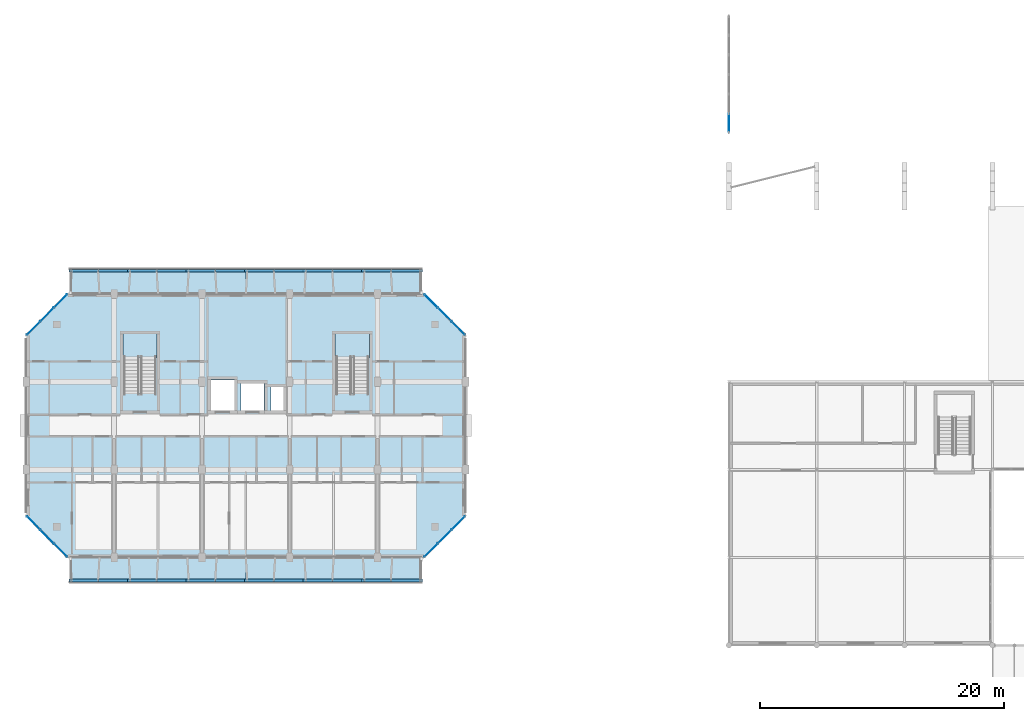
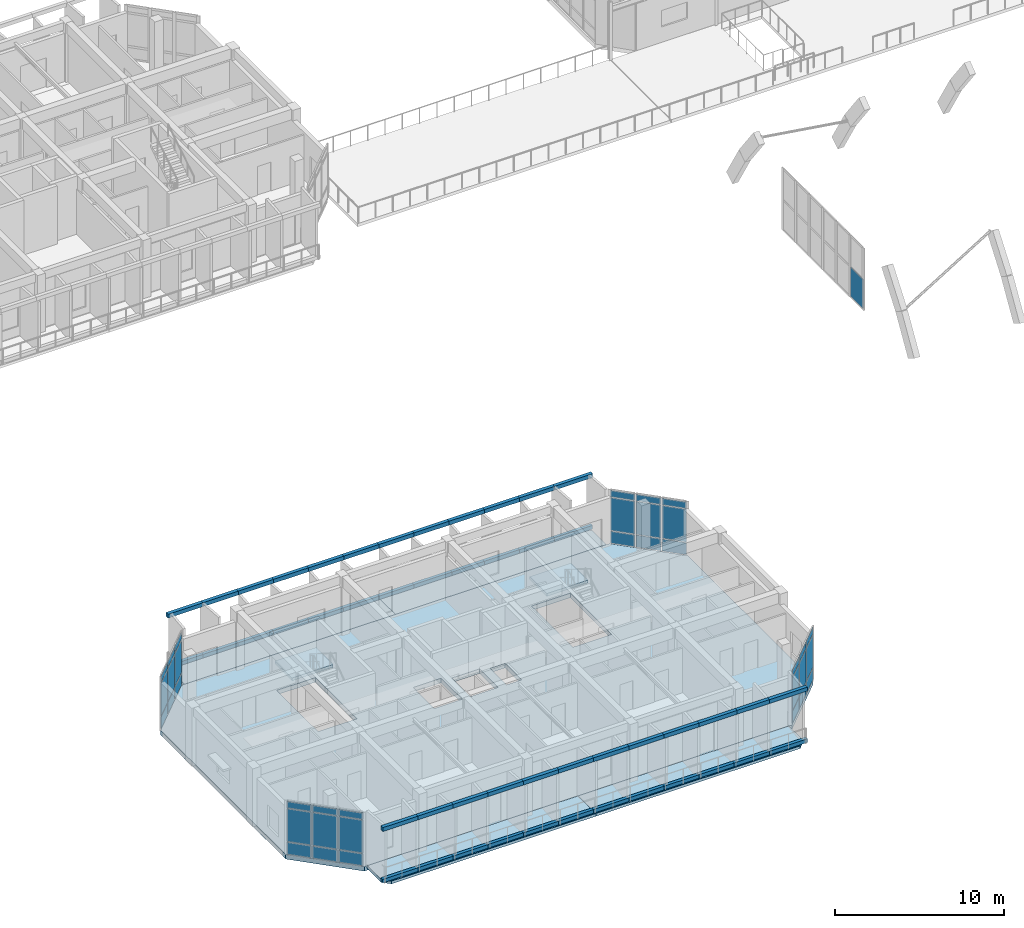
# One storey, part 35 of 85: 85 plates, 7 slabs, 7 elements without a shape of their own.
"""IFC4 building model written with IfcOpenShell, lengths in metres."""

import ifcopenshell
import ifcopenshell.guid

model = None  # the IFC model being written
_history = None  # IfcOwnerHistory: only IFC2X3 demands one
_inside = {}  # id of a spatial element -> (the spatial element, [elements in it])
_under = {}  # id of a project, library or spatial element -> (it, [spatial elements below it])
_declared = {}  # id of a project -> (the project, [libraries it declares])
_typed = {}  # id of a type object -> (the type object, [elements of that type])
_made_of = {}  # id of a material, layer set ... -> (it, [elements and type objects made of it])


def new_model(schema):
    """Start an empty IFC model of exactly this schema.

    Asked for "IFC4X3", IfcOpenShell would pick the latest addendum, in which some entities
    have other attributes; the version numbers below select the first issue.
    IFC2X3 requires an IfcOwnerHistory on every rooted entity: one is made here for all.
    """
    global model, _history
    if schema == "IFC4X3":
        model = ifcopenshell.file(schema_version=(4, 3, 0, 0))
    else:
        model = ifcopenshell.file(schema=schema)
    _inside.clear()
    _under.clear()
    _declared.clear()
    _typed.clear()
    _made_of.clear()
    _history = None
    if model.schema == "IFC2X3":
        org = make("IfcOrganization", Name="unknown")
        user = make(
            "IfcPersonAndOrganization",
            ThePerson=make("IfcPerson", FamilyName="unknown"),
            TheOrganization=org,
        )
        app = make(
            "IfcApplication",
            ApplicationDeveloper=org,
            Version="unknown",
            ApplicationFullName="unknown",
            ApplicationIdentifier="unknown",
        )
        _history = make(
            "IfcOwnerHistory",
            OwningUser=user,
            OwningApplication=app,
            ChangeAction="ADDED",
            CreationDate=0,
        )
    return model


def make(cls, **values):
    """One entity of the class cls with the attributes given. An attribute that is None is left unset."""
    return model.create_entity(
        cls, **{name: value for name, value in values.items() if value is not None}
    )


def rooted(cls, **values):
    """An entity with a GlobalId (a new one), such as an element, a storey or a relation."""
    return make(cls, GlobalId=ifcopenshell.guid.new(), OwnerHistory=_history, **values)


def si_unit(unit_type, name, prefix=None):
    """IfcSIUnit, for example si_unit("LENGTHUNIT", "METRE", prefix="MILLI")."""
    return make("IfcSIUnit", UnitType=unit_type, Prefix=prefix, Name=name)


def assignment(units):
    """IfcUnitAssignment: the units of a project."""
    return None if units is None else make("IfcUnitAssignment", Units=units)


def point(xyz):
    """IfcCartesianPoint."""
    return None if xyz is None else make("IfcCartesianPoint", Coordinates=xyz)


def direction(xyz):
    """IfcDirection."""
    return None if xyz is None else make("IfcDirection", DirectionRatios=xyz)


def frame(location, z_axis=None, x_axis=None):
    """IfcAxis2Placement3D, a coordinate frame: its origin and axes. An axis left out is left unset."""
    return make(
        "IfcAxis2Placement3D",
        Location=point(location),
        Axis=direction(z_axis),
        RefDirection=direction(x_axis),
    )


def frame_2d(location, x_axis=None):
    """IfcAxis2Placement2D, a coordinate frame in the plane: its origin and x axis."""
    return make(
        "IfcAxis2Placement2D", Location=point(location), RefDirection=direction(x_axis)
    )


def origin():
    """The frame at (0, 0, 0) with its axes left unset."""
    return frame((0.0, 0.0, 0.0))


def origin_2d():
    """The frame at (0, 0) in the plane with its x axis left unset."""
    return frame_2d((0.0, 0.0))


def place(relative_to, where):
    """IfcLocalPlacement: puts the frame where relative to a parent placement (None: the world)."""
    return make(
        "IfcLocalPlacement", PlacementRelTo=relative_to, RelativePlacement=where
    )


def context(
    kind, dimensions, precision=None, world=None, true_north=None, identifier=None
):
    """IfcGeometricRepresentationContext, for example the 3D "Model" context."""
    return make(
        "IfcGeometricRepresentationContext",
        ContextIdentifier=identifier,
        ContextType=kind,
        CoordinateSpaceDimension=dimensions,
        Precision=precision,
        WorldCoordinateSystem=world,
        TrueNorth=true_north,
    )


def subcontext(parent, identifier, kind, view, scale=None):
    """IfcGeometricRepresentationSubContext, for example "Body" below "Model"."""
    return make(
        "IfcGeometricRepresentationSubContext",
        ContextIdentifier=identifier,
        ContextType=kind,
        ParentContext=parent,
        TargetScale=scale,
        TargetView=view,
    )


def project(units=None, contexts=None):
    """IfcProject with its units and contexts."""
    return rooted(
        "IfcProject",
        Name="project",
        RepresentationContexts=contexts,
        UnitsInContext=assignment(units),
    )


def spatial(cls, under=None, at=None, **own):
    """A site, building, storey or space (cls), placed at a placement, below another one or the project."""
    s = rooted(cls, ObjectPlacement=at, **own)
    if under is not None:
        _under.setdefault(under.id(), (under, []))[1].append(s)
    return s


def polyline(points):
    """IfcPolyline through the points."""
    return make("IfcPolyline", Points=[point(p) for p in points])


def profile(cls, at=None, kind="AREA", **sizes):
    """A parametric profile (cls). Its sizes go by their IFC names, for example OverallWidth=200.0."""
    return make(cls, ProfileType=kind, Position=at, **sizes)


def rectangle(**sizes):
    """IfcRectangleProfileDef."""
    return profile("IfcRectangleProfileDef", **sizes)


def outline(outer, holes=None, kind="AREA"):
    """IfcArbitraryClosedProfileDef: a profile drawn as a closed curve; with holes, ...WithVoids."""
    if holes is None:
        return make("IfcArbitraryClosedProfileDef", ProfileType=kind, OuterCurve=outer)
    return make(
        "IfcArbitraryProfileDefWithVoids",
        ProfileType=kind,
        OuterCurve=outer,
        InnerCurves=holes,
    )


def extrude(swept, where, along, depth):
    """IfcExtrudedAreaSolid: the profile swept, set in the frame where, extruded along a direction by depth."""
    return make(
        "IfcExtrudedAreaSolid",
        SweptArea=swept,
        Position=where,
        ExtrudedDirection=direction(along),
        Depth=depth,
    )


def shape(context_of_items, identifier, shape_type, items):
    """IfcShapeRepresentation: the items that make up one representation, for example the "Body"."""
    return make(
        "IfcShapeRepresentation",
        ContextOfItems=context_of_items,
        RepresentationIdentifier=identifier,
        RepresentationType=shape_type,
        Items=items,
    )


def material(Name=None, Category=None):
    """IfcMaterial."""
    return make("IfcMaterial", Name=Name, Category=Category)


def layer(
    of_material, thickness, ventilated=None, Name=None, Category=None, Priority=None
):
    """IfcMaterialLayer: one layer of a wall or slab, of a material (None: an air gap)."""
    return make(
        "IfcMaterialLayer",
        Material=of_material,
        LayerThickness=thickness,
        IsVentilated=ventilated,
        Name=Name,
        Category=Category,
        Priority=Priority,
    )


def layer_set(layers, Name=None):
    """IfcMaterialLayerSet."""
    return make("IfcMaterialLayerSet", MaterialLayers=layers, LayerSetName=Name)


def made_of(thing, what):
    """Note that an element or type object is made of a material, layer set ...; save() writes the relation."""
    if what is not None:
        _made_of.setdefault(what.id(), (what, []))[1].append(thing)
    return thing


def type_object(cls, material=None, **own):
    """A type object (cls), such as IfcWallType, which elements share."""
    return made_of(rooted(cls, **own), material)


def element(
    cls,
    number,
    at=None,
    inside=None,
    cuts=None,
    type_object=None,
    material=None,
    context=None,
    identifier="Body",
    shape_type=None,
    held_by="IfcProductDefinitionShape",
    body=None,
    shapes=None,
    **own,
):
    """One element of the class cls, such as IfcWall. Its Tag is "e" and its number.

    at: its placement. inside: the storey or other place that contains it. cuts: it is an
    opening in that element (IfcRelVoidsElement). A single representation is given by context,
    identifier, shape_type and body (its items); several are given by shapes. held_by: the class
    of the entity that holds the representations. save() writes the other relations.
    """
    e = rooted(cls, Tag="e%d" % number, ObjectPlacement=at, **own)
    if body is not None:
        shapes = [shape(context, identifier, shape_type, body)]
    if shapes is not None:
        e.Representation = make(held_by, Representations=shapes)
    if inside is not None:
        _inside.setdefault(inside.id(), (inside, []))[1].append(e)
    if cuts is not None:
        rooted(
            "IfcRelVoidsElement", RelatingBuildingElement=cuts, RelatedOpeningElement=e
        )
    if type_object is not None:
        _typed.setdefault(type_object.id(), (type_object, []))[1].append(e)
    return made_of(e, material)


def aggregate(whole, parts):
    """IfcRelAggregates: a whole, such as a stair, and the parts it consists of."""
    return rooted("IfcRelAggregates", RelatingObject=whole, RelatedObjects=parts)


def save(model, path):
    """Write the relations noted so far, then the file.

    IfcRelAggregates (storeys below a building ...), IfcRelContainedInSpatialStructure (elements
    in a storey), IfcRelDefinesByType, IfcRelAssociatesMaterial and IfcRelDeclares: one each for
    every whole, place, type object, material and project.
    """
    for whole, parts in _under.values():
        aggregate(whole, parts)
    for where, things in _inside.values():
        rooted(
            "IfcRelContainedInSpatialStructure",
            RelatedElements=things,
            RelatingStructure=where,
        )
    for kind, things in _typed.values():
        rooted("IfcRelDefinesByType", RelatedObjects=things, RelatingType=kind)
    for what, things in _made_of.values():
        rooted("IfcRelAssociatesMaterial", RelatedObjects=things, RelatingMaterial=what)
    for by, libraries in _declared.values():
        rooted("IfcRelDeclares", RelatingContext=by, RelatedDefinitions=libraries)
    model.write(path)


model = new_model("IFC4")

# Units and contexts
model_context = context("Model", 3, precision=1e-05, world=origin(), true_north=direction((0.0, 1.0)))
body_context = subcontext(model_context, "Body", "Model", "MODEL_VIEW")
ifc_project = project(units=[si_unit("LENGTHUNIT", "METRE"), si_unit("AREAUNIT", "SQUARE_METRE"), si_unit("VOLUMEUNIT", "CUBIC_METRE"), si_unit("PLANEANGLEUNIT", "RADIAN"), si_unit("MASSUNIT", "GRAM", prefix="KILO")], contexts=[model_context])

# Site, building, storey
site_placement = place(None, origin())
site = spatial("IfcSite", under=ifc_project, at=site_placement, CompositionType="ELEMENT")
building_placement = place(site_placement, origin())
building = spatial("IfcBuilding", under=site, at=building_placement, Name="Ochrevale Crest", CompositionType="ELEMENT")
storey_placement = place(building_placement, frame((0.0, 0.0, 4.5)))
storey = spatial("IfcBuildingStorey", under=building, at=storey_placement, Name="L01", CompositionType="ELEMENT", Elevation=4.5)

# Curtain wall, plates
ifc_material_1 = material(Name="Anodised aluminium 6063-T5", Category="aluminium")
ifc_layer_1 = layer(ifc_material_1, 0.14990234375)
ifc_layer_set_1 = layer_set([ifc_layer_1], Name="Anodised aluminium 6063-T5")
curtain_wall_type_1 = type_object("IfcCurtainWallType", Name="CW-WG-360x385", PredefinedType="NOTDEFINED", material=ifc_layer_set_1)
curtain_wall_1_placement = place(storey_placement, origin())
curtain_wall_1 = element("IfcCurtainWall", 1, at=curtain_wall_1_placement, inside=storey, type_object=curtain_wall_type_1, Name="Block A L01 chamfered corner wintergarden curtain wall 2", PredefinedType="NOTDEFINED")
ifc_material_2 = material(Name="Acoustic laminated low-E insulated glass unit", Category="glass")
ifc_layer_2 = layer(ifc_material_2, 0.0380859375)
ifc_layer_set_2 = layer_set([ifc_layer_2], Name="Acoustic laminated low-E insulated glass unit")
plate_type_1 = type_object("IfcPlateType", Name="CW-PNL-IGU38", PredefinedType="CURTAIN_PANEL", material=ifc_layer_set_2)
plate_1_placement = place(storey_placement, frame((33.179931640625, 14.97998046875, 0.06005859375), z_axis=(0.0, 0.0, 1.0), x_axis=(0.707106781187, 0.707106781187, 0.0)))
plate_1 = element("IfcPlate", 2, at=plate_1_placement, type_object=plate_type_1, Name="CW20 panel 1.1", PredefinedType="CURTAIN_PANEL", context=body_context, shape_type="SweptSolid", body=[
    extrude(rectangle(XDim=1.490234375, YDim=0.0380859375, at=origin_2d()), origin(), (0.0, 0.0, 1.0), 0.860107421875),
])
plate_2_placement = place(storey_placement, frame((33.179931640625, 14.97998046875, 0.97998046875), z_axis=(0.0, 0.0, 1.0), x_axis=(0.707106781187, 0.707106781187, 0.0)))
plate_2 = element("IfcPlate", 3, at=plate_2_placement, type_object=plate_type_1, Name="CW20 panel 1.2", PredefinedType="CURTAIN_PANEL", context=body_context, shape_type="SweptSolid", body=[
    extrude(rectangle(XDim=1.490234375, YDim=0.0380859375, at=origin_2d()), origin(), (0.0, 0.0, 1.0), 2.364990234375),
])
plate_3_placement = place(storey_placement, frame((33.179931640625, 14.97998046875, 3.405029296875), z_axis=(0.0, 0.0, 1.0), x_axis=(0.707106781187, 0.707106781187, 0.0)))
plate_3 = element("IfcPlate", 4, at=plate_3_placement, type_object=plate_type_1, Name="CW20 panel 1.3", PredefinedType="CURTAIN_PANEL", context=body_context, shape_type="SweptSolid", body=[
    extrude(rectangle(XDim=1.490234375, YDim=0.0380859375, at=origin_2d()), origin(), (0.0, 0.0, 1.0), 0.4599609375),
])
plate_4_placement = place(storey_placement, frame((34.300048828125, 16.10009765625, 0.06005859375), z_axis=(0.0, 0.0, 1.0), x_axis=(0.707106781187, 0.707106781187, 0.0)))
plate_4 = element("IfcPlate", 5, at=plate_4_placement, type_object=plate_type_1, Name="CW20 panel 2.1", PredefinedType="CURTAIN_PANEL", context=body_context, shape_type="SweptSolid", body=[
    extrude(rectangle(XDim=1.52783203125, YDim=0.0380859375, at=origin_2d()), origin(), (0.0, 0.0, 1.0), 0.860107421875),
])
plate_5_placement = place(storey_placement, frame((34.300048828125, 16.10009765625, 0.97998046875), z_axis=(0.0, 0.0, 1.0), x_axis=(0.707106781187, 0.707106781187, 0.0)))
plate_5 = element("IfcPlate", 6, at=plate_5_placement, type_object=plate_type_1, Name="CW20 panel 2.2", PredefinedType="CURTAIN_PANEL", context=body_context, shape_type="SweptSolid", body=[
    extrude(rectangle(XDim=1.52783203125, YDim=0.0380859375, at=origin_2d()), origin(), (0.0, 0.0, 1.0), 2.364990234375),
])
plate_6_placement = place(storey_placement, frame((34.300048828125, 16.10009765625, 3.405029296875), z_axis=(0.0, 0.0, 1.0), x_axis=(0.707106781187, 0.707106781187, 0.0)))
plate_6 = element("IfcPlate", 7, at=plate_6_placement, type_object=plate_type_1, Name="CW20 panel 2.3", PredefinedType="CURTAIN_PANEL", context=body_context, shape_type="SweptSolid", body=[
    extrude(rectangle(XDim=1.52783203125, YDim=0.0380859375, at=origin_2d()), origin(), (0.0, 0.0, 1.0), 0.4599609375),
])
plate_7_placement = place(storey_placement, frame((35.420166015625, 17.219970703125, 0.06005859375), z_axis=(0.0, 0.0, 1.0), x_axis=(0.707106781187, 0.707106781187, 0.0)))
plate_7 = element("IfcPlate", 8, at=plate_7_placement, type_object=plate_type_1, Name="CW20 panel 3.1", PredefinedType="CURTAIN_PANEL", context=body_context, shape_type="SweptSolid", body=[
    extrude(rectangle(XDim=1.490234375, YDim=0.0380859375, at=origin_2d()), origin(), (0.0, 0.0, 1.0), 0.860107421875),
])
plate_8_placement = place(storey_placement, frame((35.420166015625, 17.219970703125, 0.97998046875), z_axis=(0.0, 0.0, 1.0), x_axis=(0.707106781187, 0.707106781187, 0.0)))
plate_8 = element("IfcPlate", 9, at=plate_8_placement, type_object=plate_type_1, Name="CW20 panel 3.2", PredefinedType="CURTAIN_PANEL", context=body_context, shape_type="SweptSolid", body=[
    extrude(rectangle(XDim=1.490234375, YDim=0.0380859375, at=origin_2d()), origin(), (0.0, 0.0, 1.0), 2.364990234375),
])
plate_9_placement = place(storey_placement, frame((35.420166015625, 17.219970703125, 3.405029296875), z_axis=(0.0, 0.0, 1.0), x_axis=(0.707106781187, 0.707106781187, 0.0)))
plate_9 = element("IfcPlate", 10, at=plate_9_placement, type_object=plate_type_1, Name="CW20 panel 3.3", PredefinedType="CURTAIN_PANEL", context=body_context, shape_type="SweptSolid", body=[
    extrude(rectangle(XDim=1.490234375, YDim=0.0380859375, at=origin_2d()), origin(), (0.0, 0.0, 1.0), 0.4599609375),
])
aggregate(curtain_wall_1, [plate_1, plate_2, plate_3, plate_4, plate_5, plate_6, plate_7, plate_8, plate_9])

curtain_wall_2_placement = place(storey_placement, origin())
curtain_wall_2 = element("IfcCurtainWall", 11, at=curtain_wall_2_placement, inside=storey, type_object=curtain_wall_type_1, Name="Block A L01 chamfered corner wintergarden curtain wall 4", PredefinedType="NOTDEFINED")
plate_10_placement = place(storey_placement, frame((35.420166015625, 33.179931640625, 0.06005859375), z_axis=(0.0, 0.0, 1.0), x_axis=(-0.707106781187, 0.707106781187, 0.0)))
plate_10 = element("IfcPlate", 12, at=plate_10_placement, type_object=plate_type_1, Name="CW20 panel 1.1", PredefinedType="CURTAIN_PANEL", context=body_context, shape_type="SweptSolid", body=[
    extrude(rectangle(XDim=1.490234375, YDim=0.0380859375, at=origin_2d()), origin(), (0.0, 0.0, 1.0), 0.860107421875),
])
plate_11_placement = place(storey_placement, frame((35.420166015625, 33.179931640625, 0.97998046875), z_axis=(0.0, 0.0, 1.0), x_axis=(-0.707106781187, 0.707106781187, 0.0)))
plate_11 = element("IfcPlate", 13, at=plate_11_placement, type_object=plate_type_1, Name="CW20 panel 1.2", PredefinedType="CURTAIN_PANEL", context=body_context, shape_type="SweptSolid", body=[
    extrude(rectangle(XDim=1.490234375, YDim=0.0380859375, at=origin_2d()), origin(), (0.0, 0.0, 1.0), 2.364990234375),
])
plate_12_placement = place(storey_placement, frame((35.420166015625, 33.179931640625, 3.405029296875), z_axis=(0.0, 0.0, 1.0), x_axis=(-0.707106781187, 0.707106781187, 0.0)))
plate_12 = element("IfcPlate", 14, at=plate_12_placement, type_object=plate_type_1, Name="CW20 panel 1.3", PredefinedType="CURTAIN_PANEL", context=body_context, shape_type="SweptSolid", body=[
    extrude(rectangle(XDim=1.490234375, YDim=0.0380859375, at=origin_2d()), origin(), (0.0, 0.0, 1.0), 0.4599609375),
])
plate_13_placement = place(storey_placement, frame((34.300048828125, 34.300048828125, 0.06005859375), z_axis=(0.0, 0.0, 1.0), x_axis=(-0.707106781187, 0.707106781187, 0.0)))
plate_13 = element("IfcPlate", 15, at=plate_13_placement, type_object=plate_type_1, Name="CW20 panel 2.1", PredefinedType="CURTAIN_PANEL", context=body_context, shape_type="SweptSolid", body=[
    extrude(rectangle(XDim=1.52783203125, YDim=0.0380859375, at=origin_2d()), origin(), (0.0, 0.0, 1.0), 0.860107421875),
])
plate_14_placement = place(storey_placement, frame((34.300048828125, 34.300048828125, 0.97998046875), z_axis=(0.0, 0.0, 1.0), x_axis=(-0.707106781187, 0.707106781187, 0.0)))
plate_14 = element("IfcPlate", 16, at=plate_14_placement, type_object=plate_type_1, Name="CW20 panel 2.2", PredefinedType="CURTAIN_PANEL", context=body_context, shape_type="SweptSolid", body=[
    extrude(rectangle(XDim=1.52783203125, YDim=0.0380859375, at=origin_2d()), origin(), (0.0, 0.0, 1.0), 2.364990234375),
])
plate_15_placement = place(storey_placement, frame((34.300048828125, 34.300048828125, 3.405029296875), z_axis=(0.0, 0.0, 1.0), x_axis=(-0.707106781187, 0.707106781187, 0.0)))
plate_15 = element("IfcPlate", 17, at=plate_15_placement, type_object=plate_type_1, Name="CW20 panel 2.3", PredefinedType="CURTAIN_PANEL", context=body_context, shape_type="SweptSolid", body=[
    extrude(rectangle(XDim=1.52783203125, YDim=0.0380859375, at=origin_2d()), origin(), (0.0, 0.0, 1.0), 0.4599609375),
])
plate_16_placement = place(storey_placement, frame((33.179931640625, 35.420166015625, 0.06005859375), z_axis=(0.0, 0.0, 1.0), x_axis=(-0.707106781187, 0.707106781187, 0.0)))
plate_16 = element("IfcPlate", 18, at=plate_16_placement, type_object=plate_type_1, Name="CW20 panel 3.1", PredefinedType="CURTAIN_PANEL", context=body_context, shape_type="SweptSolid", body=[
    extrude(rectangle(XDim=1.490234375, YDim=0.0380859375, at=origin_2d()), origin(), (0.0, 0.0, 1.0), 0.860107421875),
])
plate_17_placement = place(storey_placement, frame((33.179931640625, 35.420166015625, 0.97998046875), z_axis=(0.0, 0.0, 1.0), x_axis=(-0.707106781187, 0.707106781187, 0.0)))
plate_17 = element("IfcPlate", 19, at=plate_17_placement, type_object=plate_type_1, Name="CW20 panel 3.2", PredefinedType="CURTAIN_PANEL", context=body_context, shape_type="SweptSolid", body=[
    extrude(rectangle(XDim=1.490234375, YDim=0.0380859375, at=origin_2d()), origin(), (0.0, 0.0, 1.0), 2.364990234375),
])
plate_18_placement = place(storey_placement, frame((33.179931640625, 35.420166015625, 3.405029296875), z_axis=(0.0, 0.0, 1.0), x_axis=(-0.707106781187, 0.707106781187, 0.0)))
plate_18 = element("IfcPlate", 20, at=plate_18_placement, type_object=plate_type_1, Name="CW20 panel 3.3", PredefinedType="CURTAIN_PANEL", context=body_context, shape_type="SweptSolid", body=[
    extrude(rectangle(XDim=1.490234375, YDim=0.0380859375, at=origin_2d()), origin(), (0.0, 0.0, 1.0), 0.4599609375),
])
aggregate(curtain_wall_2, [plate_10, plate_11, plate_12, plate_13, plate_14, plate_15, plate_16, plate_17, plate_18])

curtain_wall_3_placement = place(storey_placement, origin())
curtain_wall_3 = element("IfcCurtainWall", 21, at=curtain_wall_3_placement, inside=storey, type_object=curtain_wall_type_1, Name="Block A L01 chamfered corner wintergarden curtain wall 6", PredefinedType="NOTDEFINED")
plate_19_placement = place(storey_placement, frame((2.820068359375, 35.420166015625, 0.06005859375), z_axis=(0.0, 0.0, 1.0), x_axis=(-0.707106781187, -0.707106781187, 0.0)))
plate_19 = element("IfcPlate", 22, at=plate_19_placement, type_object=plate_type_1, Name="CW20 panel 1.1", PredefinedType="CURTAIN_PANEL", context=body_context, shape_type="SweptSolid", body=[
    extrude(rectangle(XDim=1.490234375, YDim=0.0380859375, at=origin_2d()), origin(), (0.0, 0.0, 1.0), 0.860107421875),
])
plate_20_placement = place(storey_placement, frame((2.820068359375, 35.420166015625, 0.97998046875), z_axis=(0.0, 0.0, 1.0), x_axis=(-0.707106781187, -0.707106781187, 0.0)))
plate_20 = element("IfcPlate", 23, at=plate_20_placement, type_object=plate_type_1, Name="CW20 panel 1.2", PredefinedType="CURTAIN_PANEL", context=body_context, shape_type="SweptSolid", body=[
    extrude(rectangle(XDim=1.490234375, YDim=0.0380859375, at=origin_2d()), origin(), (0.0, 0.0, 1.0), 2.364990234375),
])
plate_21_placement = place(storey_placement, frame((2.820068359375, 35.420166015625, 3.405029296875), z_axis=(0.0, 0.0, 1.0), x_axis=(-0.707106781187, -0.707106781187, 0.0)))
plate_21 = element("IfcPlate", 24, at=plate_21_placement, type_object=plate_type_1, Name="CW20 panel 1.3", PredefinedType="CURTAIN_PANEL", context=body_context, shape_type="SweptSolid", body=[
    extrude(rectangle(XDim=1.490234375, YDim=0.0380859375, at=origin_2d()), origin(), (0.0, 0.0, 1.0), 0.4599609375),
])
plate_22_placement = place(storey_placement, frame((1.699951171875, 34.300048828125, 0.06005859375), z_axis=(0.0, 0.0, 1.0), x_axis=(-0.707106781187, -0.707106781187, 0.0)))
plate_22 = element("IfcPlate", 25, at=plate_22_placement, type_object=plate_type_1, Name="CW20 panel 2.1", PredefinedType="CURTAIN_PANEL", context=body_context, shape_type="SweptSolid", body=[
    extrude(rectangle(XDim=1.52783203125, YDim=0.0380859375, at=origin_2d()), origin(), (0.0, 0.0, 1.0), 0.860107421875),
])
plate_23_placement = place(storey_placement, frame((1.699951171875, 34.300048828125, 0.97998046875), z_axis=(0.0, 0.0, 1.0), x_axis=(-0.707106781187, -0.707106781187, 0.0)))
plate_23 = element("IfcPlate", 26, at=plate_23_placement, type_object=plate_type_1, Name="CW20 panel 2.2", PredefinedType="CURTAIN_PANEL", context=body_context, shape_type="SweptSolid", body=[
    extrude(rectangle(XDim=1.52783203125, YDim=0.0380859375, at=origin_2d()), origin(), (0.0, 0.0, 1.0), 2.364990234375),
])
plate_24_placement = place(storey_placement, frame((1.699951171875, 34.300048828125, 3.405029296875), z_axis=(0.0, 0.0, 1.0), x_axis=(-0.707106781187, -0.707106781187, 0.0)))
plate_24 = element("IfcPlate", 27, at=plate_24_placement, type_object=plate_type_1, Name="CW20 panel 2.3", PredefinedType="CURTAIN_PANEL", context=body_context, shape_type="SweptSolid", body=[
    extrude(rectangle(XDim=1.52783203125, YDim=0.0380859375, at=origin_2d()), origin(), (0.0, 0.0, 1.0), 0.4599609375),
])
plate_25_placement = place(storey_placement, frame((0.579833984375, 33.179931640625, 0.06005859375), z_axis=(0.0, 0.0, 1.0), x_axis=(-0.707106781187, -0.707106781187, 0.0)))
plate_25 = element("IfcPlate", 28, at=plate_25_placement, type_object=plate_type_1, Name="CW20 panel 3.1", PredefinedType="CURTAIN_PANEL", context=body_context, shape_type="SweptSolid", body=[
    extrude(rectangle(XDim=1.490234375, YDim=0.0380859375, at=origin_2d()), origin(), (0.0, 0.0, 1.0), 0.860107421875),
])
plate_26_placement = place(storey_placement, frame((0.579833984375, 33.179931640625, 0.97998046875), z_axis=(0.0, 0.0, 1.0), x_axis=(-0.707106781187, -0.707106781187, 0.0)))
plate_26 = element("IfcPlate", 29, at=plate_26_placement, type_object=plate_type_1, Name="CW20 panel 3.2", PredefinedType="CURTAIN_PANEL", context=body_context, shape_type="SweptSolid", body=[
    extrude(rectangle(XDim=1.490234375, YDim=0.0380859375, at=origin_2d()), origin(), (0.0, 0.0, 1.0), 2.364990234375),
])
plate_27_placement = place(storey_placement, frame((0.579833984375, 33.179931640625, 3.405029296875), z_axis=(0.0, 0.0, 1.0), x_axis=(-0.707106781187, -0.707106781187, 0.0)))
plate_27 = element("IfcPlate", 30, at=plate_27_placement, type_object=plate_type_1, Name="CW20 panel 3.3", PredefinedType="CURTAIN_PANEL", context=body_context, shape_type="SweptSolid", body=[
    extrude(rectangle(XDim=1.490234375, YDim=0.0380859375, at=origin_2d()), origin(), (0.0, 0.0, 1.0), 0.4599609375),
])
aggregate(curtain_wall_3, [plate_19, plate_20, plate_21, plate_22, plate_23, plate_24, plate_25, plate_26, plate_27])

curtain_wall_4_placement = place(storey_placement, origin())
curtain_wall_4 = element("IfcCurtainWall", 31, at=curtain_wall_4_placement, inside=storey, type_object=curtain_wall_type_1, Name="Block A L01 chamfered corner wintergarden curtain wall 8", PredefinedType="NOTDEFINED")
plate_28_placement = place(storey_placement, frame((0.579833984375, 17.219970703125, 0.06005859375), z_axis=(0.0, 0.0, 1.0), x_axis=(0.707106781187, -0.707106781187, 0.0)))
plate_28 = element("IfcPlate", 32, at=plate_28_placement, type_object=plate_type_1, Name="CW20 panel 1.1", PredefinedType="CURTAIN_PANEL", context=body_context, shape_type="SweptSolid", body=[
    extrude(rectangle(XDim=1.490234375, YDim=0.0380859375, at=origin_2d()), origin(), (0.0, 0.0, 1.0), 0.860107421875),
])
plate_29_placement = place(storey_placement, frame((0.579833984375, 17.219970703125, 0.97998046875), z_axis=(0.0, 0.0, 1.0), x_axis=(0.707106781187, -0.707106781187, 0.0)))
plate_29 = element("IfcPlate", 33, at=plate_29_placement, type_object=plate_type_1, Name="CW20 panel 1.2", PredefinedType="CURTAIN_PANEL", context=body_context, shape_type="SweptSolid", body=[
    extrude(rectangle(XDim=1.490234375, YDim=0.0380859375, at=origin_2d()), origin(), (0.0, 0.0, 1.0), 2.364990234375),
])
plate_30_placement = place(storey_placement, frame((0.579833984375, 17.219970703125, 3.405029296875), z_axis=(0.0, 0.0, 1.0), x_axis=(0.707106781187, -0.707106781187, 0.0)))
plate_30 = element("IfcPlate", 34, at=plate_30_placement, type_object=plate_type_1, Name="CW20 panel 1.3", PredefinedType="CURTAIN_PANEL", context=body_context, shape_type="SweptSolid", body=[
    extrude(rectangle(XDim=1.490234375, YDim=0.0380859375, at=origin_2d()), origin(), (0.0, 0.0, 1.0), 0.4599609375),
])
plate_31_placement = place(storey_placement, frame((1.699951171875, 16.10009765625, 0.06005859375), z_axis=(0.0, 0.0, 1.0), x_axis=(0.707106781187, -0.707106781187, 0.0)))
plate_31 = element("IfcPlate", 35, at=plate_31_placement, type_object=plate_type_1, Name="CW20 panel 2.1", PredefinedType="CURTAIN_PANEL", context=body_context, shape_type="SweptSolid", body=[
    extrude(rectangle(XDim=1.52783203125, YDim=0.0380859375, at=origin_2d()), origin(), (0.0, 0.0, 1.0), 0.860107421875),
])
plate_32_placement = place(storey_placement, frame((1.699951171875, 16.10009765625, 0.97998046875), z_axis=(0.0, 0.0, 1.0), x_axis=(0.707106781187, -0.707106781187, 0.0)))
plate_32 = element("IfcPlate", 36, at=plate_32_placement, type_object=plate_type_1, Name="CW20 panel 2.2", PredefinedType="CURTAIN_PANEL", context=body_context, shape_type="SweptSolid", body=[
    extrude(rectangle(XDim=1.52783203125, YDim=0.0380859375, at=origin_2d()), origin(), (0.0, 0.0, 1.0), 2.364990234375),
])
plate_33_placement = place(storey_placement, frame((1.699951171875, 16.10009765625, 3.405029296875), z_axis=(0.0, 0.0, 1.0), x_axis=(0.707106781187, -0.707106781187, 0.0)))
plate_33 = element("IfcPlate", 37, at=plate_33_placement, type_object=plate_type_1, Name="CW20 panel 2.3", PredefinedType="CURTAIN_PANEL", context=body_context, shape_type="SweptSolid", body=[
    extrude(rectangle(XDim=1.52783203125, YDim=0.0380859375, at=origin_2d()), origin(), (0.0, 0.0, 1.0), 0.4599609375),
])
plate_34_placement = place(storey_placement, frame((2.820068359375, 14.97998046875, 0.06005859375), z_axis=(0.0, 0.0, 1.0), x_axis=(0.707106781187, -0.707106781187, 0.0)))
plate_34 = element("IfcPlate", 38, at=plate_34_placement, type_object=plate_type_1, Name="CW20 panel 3.1", PredefinedType="CURTAIN_PANEL", context=body_context, shape_type="SweptSolid", body=[
    extrude(rectangle(XDim=1.490234375, YDim=0.0380859375, at=origin_2d()), origin(), (0.0, 0.0, 1.0), 0.860107421875),
])
plate_35_placement = place(storey_placement, frame((2.820068359375, 14.97998046875, 0.97998046875), z_axis=(0.0, 0.0, 1.0), x_axis=(0.707106781187, -0.707106781187, 0.0)))
plate_35 = element("IfcPlate", 39, at=plate_35_placement, type_object=plate_type_1, Name="CW20 panel 3.2", PredefinedType="CURTAIN_PANEL", context=body_context, shape_type="SweptSolid", body=[
    extrude(rectangle(XDim=1.490234375, YDim=0.0380859375, at=origin_2d()), origin(), (0.0, 0.0, 1.0), 2.364990234375),
])
plate_36_placement = place(storey_placement, frame((2.820068359375, 14.97998046875, 3.405029296875), z_axis=(0.0, 0.0, 1.0), x_axis=(0.707106781187, -0.707106781187, 0.0)))
plate_36 = element("IfcPlate", 40, at=plate_36_placement, type_object=plate_type_1, Name="CW20 panel 3.3", PredefinedType="CURTAIN_PANEL", context=body_context, shape_type="SweptSolid", body=[
    extrude(rectangle(XDim=1.490234375, YDim=0.0380859375, at=origin_2d()), origin(), (0.0, 0.0, 1.0), 0.4599609375),
])
aggregate(curtain_wall_4, [plate_28, plate_29, plate_30, plate_31, plate_32, plate_33, plate_34, plate_35, plate_36])

# Curtain wall, plate
ifc_layer_3 = layer(ifc_material_1, 0.14990234375)
ifc_layer_set_3 = layer_set([ifc_layer_3], Name="Anodised aluminium 6063-T5")
curtain_wall_type_2 = type_object("IfcCurtainWallType", Name="CW-HALL-960x430", PredefinedType="NOTDEFINED", material=ifc_layer_set_3)
curtain_wall_5_placement = place(storey_placement, origin())
curtain_wall_5 = element("IfcCurtainWall", 41, at=curtain_wall_5_placement, inside=storey, type_object=curtain_wall_type_2, Name="Community Hall W barrel-vault glazed tympanum curtain wall", PredefinedType="NOTDEFINED")
plate_37_placement = place(storey_placement, frame((57.60009765625, 50.018798828125, 0.1650390625), z_axis=(0.0, 0.0, 1.0), x_axis=(0.0, 1.0, 0.0)))
plate_37 = element("IfcPlate", 42, at=plate_37_placement, type_object=plate_type_1, Name="CW21 panel 1.1", PredefinedType="CURTAIN_PANEL", context=body_context, shape_type="SweptSolid", body=[
    extrude(rectangle(XDim=1.487548828125, YDim=0.0380859375, at=origin_2d()), origin(), (0.0, 0.0, 1.0), 2.1025390625),
])
aggregate(curtain_wall_5, [plate_37])

# Plates
ifc_material_3 = material(Name="Precast concrete C40/50", Category="concrete")
ifc_layer_4 = layer(ifc_material_3, 0.06005859375)
ifc_layer_set_4 = layer_set([ifc_layer_4], Name="Precast concrete C40/50")
plate_type_2 = type_object("IfcPlateType", Name="PLT-HC-HEAD-60", PredefinedType="USERDEFINED", material=ifc_layer_set_4)
for number, where, z_axis, x_axis, name in (
    (43, (4.800048828125, 12.5, 3.72021484375), (0.0, 0.0, 1.0), (1.0, 0.0, 0.0), "Block A L01 S honeycomb arched lintel fascia 1"),
    (44, (7.199951171875, 12.5, 3.72021484375), (0.0, 0.0, 1.0), (1.0, 0.0, 0.0), "Block A L01 S honeycomb arched lintel fascia 2"),
    (45, (9.60009765625, 12.5, 3.72021484375), (0.0, 0.0, 1.0), (1.0, 0.0, 0.0), "Block A L01 S honeycomb arched lintel fascia 3"),
    (46, (12.0, 12.5, 3.72021484375), (0.0, 0.0, 1.0), (1.0, 0.0, 0.0), "Block A L01 S honeycomb arched lintel fascia 4"),
    (47, (14.39990234375, 12.5, 3.72021484375), (0.0, 0.0, 1.0), (1.0, 0.0, 0.0), "Block A L01 S honeycomb arched lintel fascia 5"),
    (48, (16.800048828125, 12.5, 3.72021484375), (0.0, 0.0, 1.0), (1.0, 0.0, 0.0), "Block A L01 S honeycomb arched lintel fascia 6"),
    (49, (19.199951171875, 12.5, 3.72021484375), (0.0, 0.0, 1.0), (1.0, 0.0, 0.0), "Block A L01 S honeycomb arched lintel fascia 7"),
    (50, (21.60009765625, 12.5, 3.72021484375), (0.0, 0.0, 1.0), (1.0, 0.0, 0.0), "Block A L01 S honeycomb arched lintel fascia 8"),
    (51, (24.0, 12.5, 3.72021484375), (0.0, 0.0, 1.0), (1.0, 0.0, 0.0), "Block A L01 S honeycomb arched lintel fascia 9"),
    (52, (26.39990234375, 12.5, 3.72021484375), (0.0, 0.0, 1.0), (1.0, 0.0, 0.0), "Block A L01 S honeycomb arched lintel fascia 10"),
    (53, (28.800048828125, 12.5, 3.72021484375), (0.0, 0.0, 1.0), (1.0, 0.0, 0.0), "Block A L01 S honeycomb arched lintel fascia 11"),
    (54, (31.199951171875, 12.5, 3.72021484375), (0.0, 0.0, 1.0), (1.0, 0.0, 0.0), "Block A L01 S honeycomb arched lintel fascia 12"),
    (55, (4.800048828125, 37.89990234375, 3.72021484375), (0.0, 0.0, 1.0), (1.0, 0.0, 0.0), "Block A L01 N honeycomb arched lintel fascia 1"),
    (56, (7.199951171875, 37.89990234375, 3.72021484375), (0.0, 0.0, 1.0), (1.0, 0.0, 0.0), "Block A L01 N honeycomb arched lintel fascia 2"),
    (57, (9.60009765625, 37.89990234375, 3.72021484375), (0.0, 0.0, 1.0), (1.0, 0.0, 0.0), "Block A L01 N honeycomb arched lintel fascia 3"),
    (58, (12.0, 37.89990234375, 3.72021484375), (0.0, 0.0, 1.0), (1.0, 0.0, 0.0), "Block A L01 N honeycomb arched lintel fascia 4"),
    (59, (14.39990234375, 37.89990234375, 3.72021484375), (0.0, 0.0, 1.0), (1.0, 0.0, 0.0), "Block A L01 N honeycomb arched lintel fascia 5"),
    (60, (16.800048828125, 37.89990234375, 3.72021484375), (0.0, 0.0, 1.0), (1.0, 0.0, 0.0), "Block A L01 N honeycomb arched lintel fascia 6"),
    (61, (19.199951171875, 37.89990234375, 3.72021484375), (0.0, 0.0, 1.0), (1.0, 0.0, 0.0), "Block A L01 N honeycomb arched lintel fascia 7"),
    (62, (21.60009765625, 37.89990234375, 3.72021484375), (0.0, 0.0, 1.0), (1.0, 0.0, 0.0), "Block A L01 N honeycomb arched lintel fascia 8"),
    (63, (24.0, 37.89990234375, 3.72021484375), (0.0, 0.0, 1.0), (1.0, 0.0, 0.0), "Block A L01 N honeycomb arched lintel fascia 9"),
    (64, (26.39990234375, 37.89990234375, 3.72021484375), (0.0, 0.0, 1.0), (1.0, 0.0, 0.0), "Block A L01 N honeycomb arched lintel fascia 10"),
    (65, (28.800048828125, 37.89990234375, 3.72021484375), (0.0, 0.0, 1.0), (1.0, 0.0, 0.0), "Block A L01 N honeycomb arched lintel fascia 11"),
    (66, (31.199951171875, 37.89990234375, 3.72021484375), (0.0, 0.0, 1.0), (1.0, 0.0, 0.0), "Block A L01 N honeycomb arched lintel fascia 12"),
):
    element("IfcPlate", number, at=place(storey_placement, frame(where, z_axis=z_axis, x_axis=x_axis)), inside=storey, type_object=plate_type_2, Name=name, ObjectType="FACADE FASCIA PLATE", PredefinedType="USERDEFINED", context=body_context, shape_type="SweptSolid", body=[
        extrude(rectangle(XDim=2.60009765625, YDim=0.239990234375, at=origin_2d()), origin(), (0.0, 0.0, 1.0), 0.280029296875),
    ])
ifc_layer_5 = layer(ifc_material_3, 0.044921875)
ifc_layer_set_5 = layer_set([ifc_layer_5], Name="Precast concrete C40/50")
plate_type_3 = type_object("IfcPlateType", Name="PLT-HC-SILL-45", PredefinedType="USERDEFINED", material=ifc_layer_set_5)
for number, where, z_axis, x_axis, name in (
    (67, (4.800048828125, 12.5, 0.0), (0.0, 0.0, 1.0), (1.0, 0.0, 0.0), "Block A L01 S honeycomb sill coping plate 1"),
    (68, (7.199951171875, 12.5, 0.0), (0.0, 0.0, 1.0), (1.0, 0.0, 0.0), "Block A L01 S honeycomb sill coping plate 2"),
    (69, (9.60009765625, 12.5, 0.0), (0.0, 0.0, 1.0), (1.0, 0.0, 0.0), "Block A L01 S honeycomb sill coping plate 3"),
    (70, (12.0, 12.5, 0.0), (0.0, 0.0, 1.0), (1.0, 0.0, 0.0), "Block A L01 S honeycomb sill coping plate 4"),
    (71, (14.39990234375, 12.5, 0.0), (0.0, 0.0, 1.0), (1.0, 0.0, 0.0), "Block A L01 S honeycomb sill coping plate 5"),
    (72, (16.800048828125, 12.5, 0.0), (0.0, 0.0, 1.0), (1.0, 0.0, 0.0), "Block A L01 S honeycomb sill coping plate 6"),
    (73, (19.199951171875, 12.5, 0.0), (0.0, 0.0, 1.0), (1.0, 0.0, 0.0), "Block A L01 S honeycomb sill coping plate 7"),
    (74, (21.60009765625, 12.5, 0.0), (0.0, 0.0, 1.0), (1.0, 0.0, 0.0), "Block A L01 S honeycomb sill coping plate 8"),
    (75, (24.0, 12.5, 0.0), (0.0, 0.0, 1.0), (1.0, 0.0, 0.0), "Block A L01 S honeycomb sill coping plate 9"),
    (76, (26.39990234375, 12.5, 0.0), (0.0, 0.0, 1.0), (1.0, 0.0, 0.0), "Block A L01 S honeycomb sill coping plate 10"),
    (77, (28.800048828125, 12.5, 0.0), (0.0, 0.0, 1.0), (1.0, 0.0, 0.0), "Block A L01 S honeycomb sill coping plate 11"),
    (78, (31.199951171875, 12.5, 0.0), (0.0, 0.0, 1.0), (1.0, 0.0, 0.0), "Block A L01 S honeycomb sill coping plate 12"),
    (79, (4.800048828125, 37.89990234375, 0.0), (0.0, 0.0, 1.0), (1.0, 0.0, 0.0), "Block A L01 N honeycomb sill coping plate 1"),
    (80, (7.199951171875, 37.89990234375, 0.0), (0.0, 0.0, 1.0), (1.0, 0.0, 0.0), "Block A L01 N honeycomb sill coping plate 2"),
    (81, (9.60009765625, 37.89990234375, 0.0), (0.0, 0.0, 1.0), (1.0, 0.0, 0.0), "Block A L01 N honeycomb sill coping plate 3"),
    (82, (12.0, 37.89990234375, 0.0), (0.0, 0.0, 1.0), (1.0, 0.0, 0.0), "Block A L01 N honeycomb sill coping plate 4"),
    (83, (14.39990234375, 37.89990234375, 0.0), (0.0, 0.0, 1.0), (1.0, 0.0, 0.0), "Block A L01 N honeycomb sill coping plate 5"),
    (84, (16.800048828125, 37.89990234375, 0.0), (0.0, 0.0, 1.0), (1.0, 0.0, 0.0), "Block A L01 N honeycomb sill coping plate 6"),
    (85, (19.199951171875, 37.89990234375, 0.0), (0.0, 0.0, 1.0), (1.0, 0.0, 0.0), "Block A L01 N honeycomb sill coping plate 7"),
    (86, (21.60009765625, 37.89990234375, 0.0), (0.0, 0.0, 1.0), (1.0, 0.0, 0.0), "Block A L01 N honeycomb sill coping plate 8"),
    (87, (24.0, 37.89990234375, 0.0), (0.0, 0.0, 1.0), (1.0, 0.0, 0.0), "Block A L01 N honeycomb sill coping plate 9"),
    (88, (26.39990234375, 37.89990234375, 0.0), (0.0, 0.0, 1.0), (1.0, 0.0, 0.0), "Block A L01 N honeycomb sill coping plate 10"),
    (89, (28.800048828125, 37.89990234375, 0.0), (0.0, 0.0, 1.0), (1.0, 0.0, 0.0), "Block A L01 N honeycomb sill coping plate 11"),
    (90, (31.199951171875, 37.89990234375, 0.0), (0.0, 0.0, 1.0), (1.0, 0.0, 0.0), "Block A L01 N honeycomb sill coping plate 12"),
):
    element("IfcPlate", number, at=place(storey_placement, frame(where, z_axis=z_axis, x_axis=x_axis)), inside=storey, type_object=plate_type_3, Name=name, ObjectType="SILL COPING PLATE", PredefinedType="USERDEFINED", context=body_context, shape_type="SweptSolid", body=[
        extrude(rectangle(XDim=2.60009765625, YDim=0.219970703125, at=origin_2d()), origin(), (0.0, 0.0, 1.0), 0.260009765625),
    ])

# Slabs
ifc_layer_6 = layer(ifc_material_3, 0.199951171875)
ifc_layer_set_6 = layer_set([ifc_layer_6], Name="Precast concrete C40/50")
slab_type_1 = type_object("IfcSlabType", Name="SLB-BAL-200", PredefinedType="FLOOR", material=ifc_layer_set_6)
slab_1_placement = place(storey_placement, frame((0.0, 0.0, -0.199951171875)))
element("IfcSlab", 91, at=slab_1_placement, inside=storey, type_object=slab_type_1, Name="Block A L01 S1 precast loggia balcony slab", PredefinedType="FLOOR", context=body_context, shape_type="SweptSolid", body=[
    extrude(outline(polyline([(4.050048828125, 12.300048828125), (18.0, 12.300048828125), (18.0, 14.39990234375), (3.60009765625, 14.39990234375), (3.60009765625, 12.75), (4.050048828125, 12.300048828125)])), origin(), (0.0, 0.0, 1.0), 0.199951171875),
])
slab_2_placement = place(storey_placement, frame((0.0, 0.0, -0.199951171875)))
element("IfcSlab", 92, at=slab_2_placement, inside=storey, type_object=slab_type_1, Name="Block A L01 S2 precast loggia balcony slab", PredefinedType="FLOOR", context=body_context, shape_type="SweptSolid", body=[
    extrude(outline(polyline([(18.0, 12.300048828125), (31.949951171875, 12.300048828125), (32.39990234375, 12.75), (32.39990234375, 14.39990234375), (18.0, 14.39990234375), (18.0, 12.300048828125)])), origin(), (0.0, 0.0, 1.0), 0.199951171875),
])
slab_3_placement = place(storey_placement, frame((0.0, 0.0, -0.199951171875)))
element("IfcSlab", 93, at=slab_3_placement, inside=storey, type_object=slab_type_1, Name="Block A L01 N1 precast loggia balcony slab", PredefinedType="FLOOR", context=body_context, shape_type="SweptSolid", body=[
    extrude(outline(polyline([(3.60009765625, 36.0), (18.0, 36.0), (18.0, 38.10009765625), (4.050048828125, 38.10009765625), (3.60009765625, 37.64990234375), (3.60009765625, 36.0)])), origin(), (0.0, 0.0, 1.0), 0.199951171875),
])
slab_4_placement = place(storey_placement, frame((0.0, 0.0, -0.199951171875)))
element("IfcSlab", 94, at=slab_4_placement, inside=storey, type_object=slab_type_1, Name="Block A L01 N2 precast loggia balcony slab", PredefinedType="FLOOR", context=body_context, shape_type="SweptSolid", body=[
    extrude(outline(polyline([(18.0, 36.0), (32.39990234375, 36.0), (32.39990234375, 37.64990234375), (31.949951171875, 38.10009765625), (18.0, 38.10009765625), (18.0, 36.0)])), origin(), (0.0, 0.0, 1.0), 0.199951171875),
])
ifc_layer_7 = layer(ifc_material_3, 0.324951171875)
ifc_layer_set_7 = layer_set([ifc_layer_7], Name="Precast concrete C40/50")
slab_type_2 = type_object("IfcSlabType", Name="SLB-POD-325", PredefinedType="FLOOR", material=ifc_layer_set_7)
slab_5_placement = place(storey_placement, frame((0.0, 0.0, -0.324951171875)))
element("IfcSlab", 95, at=slab_5_placement, inside=storey, type_object=slab_type_2, Name="Block A L01 composite hollowcore floor slab", PredefinedType="FLOOR", context=body_context, shape_type="SweptSolid", body=[
    extrude(outline(polyline([(3.39990234375, 14.39990234375), (32.60009765625, 14.39990234375), (36.0, 17.800048828125), (36.0, 32.60009765625), (32.60009765625, 36.0), (3.39990234375, 36.0), (0.0, 32.60009765625), (0.0, 17.800048828125), (3.39990234375, 14.39990234375)]), holes=[polyline([(10.64990234375, 27.824951171875), (10.64990234375, 32.72509765625), (8.0, 32.72509765625), (8.0, 27.824951171875), (10.64990234375, 27.824951171875)]), polyline([(28.050048828125, 27.824951171875), (28.050048828125, 32.72509765625), (25.39990234375, 32.72509765625), (25.39990234375, 27.824951171875), (28.050048828125, 27.824951171875)]), polyline([(15.14990234375, 26.449951171875), (17.050048828125, 26.449951171875), (17.050048828125, 28.949951171875), (15.14990234375, 28.949951171875), (15.14990234375, 26.449951171875)]), polyline([(17.60009765625, 26.449951171875), (19.5, 26.449951171875), (19.5, 28.64990234375), (17.60009765625, 28.64990234375), (17.60009765625, 26.449951171875)]), polyline([(20.070068359375, 26.419921875), (21.080078125, 26.419921875), (21.080078125, 28.3798828125), (20.070068359375, 28.3798828125), (20.070068359375, 26.419921875)])]), origin(), (0.0, 0.0, 1.0), 0.324951171875),
])

# Stair, slab
stair_type = type_object("IfcStairType", Name="ST-CORE-DOG", PredefinedType="HALF_TURN_STAIR", material=ifc_material_3)
stair_1_placement = place(storey_placement, origin())
stair_1 = element("IfcStair", 96, at=stair_1_placement, inside=storey, type_object=stair_type, Name="L01 Block A Fire Stair 1", PredefinedType="HALF_TURN_STAIR")
ifc_layer_8 = layer(ifc_material_3, 0.199951171875)
ifc_layer_set_8 = layer_set([ifc_layer_8], Name="Precast concrete C40/50")
slab_type_3 = type_object("IfcSlabType", Name="SLB-ST-LAND", PredefinedType="LANDING", material=ifc_layer_set_8)
slab_6_placement = place(storey_placement, frame((0.0, 0.0, 1.89990234375)))
slab_6 = element("IfcSlab", 97, at=slab_6_placement, type_object=slab_type_3, Name="ST-A1 landing 1", PredefinedType="LANDING", context=body_context, shape_type="SweptSolid", body=[
    extrude(outline(polyline([(10.72998046875, 30.77490234375), (10.72998046875, 32.804931640625), (7.919921875, 32.804931640625), (7.919921875, 30.77490234375), (10.72998046875, 30.77490234375)])), origin(), (0.0, 0.0, 1.0), 0.2001953125),
])
aggregate(stair_1, [slab_6])

stair_2_placement = place(storey_placement, origin())
stair_2 = element("IfcStair", 98, at=stair_2_placement, inside=storey, type_object=stair_type, Name="L01 Block A Fire Stair 2", PredefinedType="HALF_TURN_STAIR")
slab_7_placement = place(storey_placement, frame((0.0, 0.0, 1.89990234375)))
slab_7 = element("IfcSlab", 99, at=slab_7_placement, type_object=slab_type_3, Name="ST-A2 landing 1", PredefinedType="LANDING", context=body_context, shape_type="SweptSolid", body=[
    extrude(outline(polyline([(28.1298828125, 30.77490234375), (28.1298828125, 32.804931640625), (25.320068359375, 32.804931640625), (25.320068359375, 30.77490234375), (28.1298828125, 30.77490234375)])), origin(), (0.0, 0.0, 1.0), 0.2001953125),
])
aggregate(stair_2, [slab_7])

save(model, "model.ifc")
